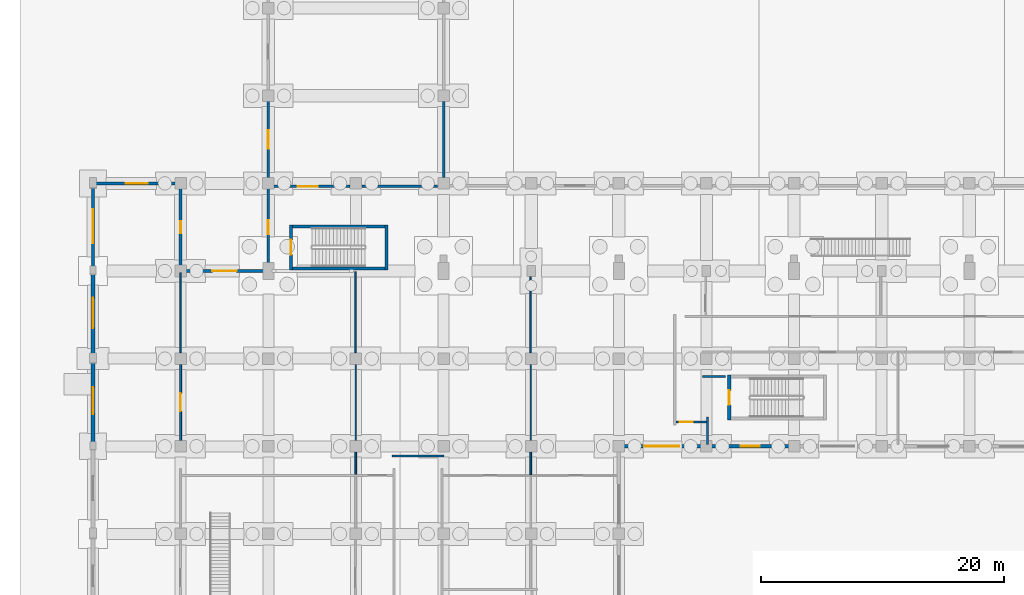
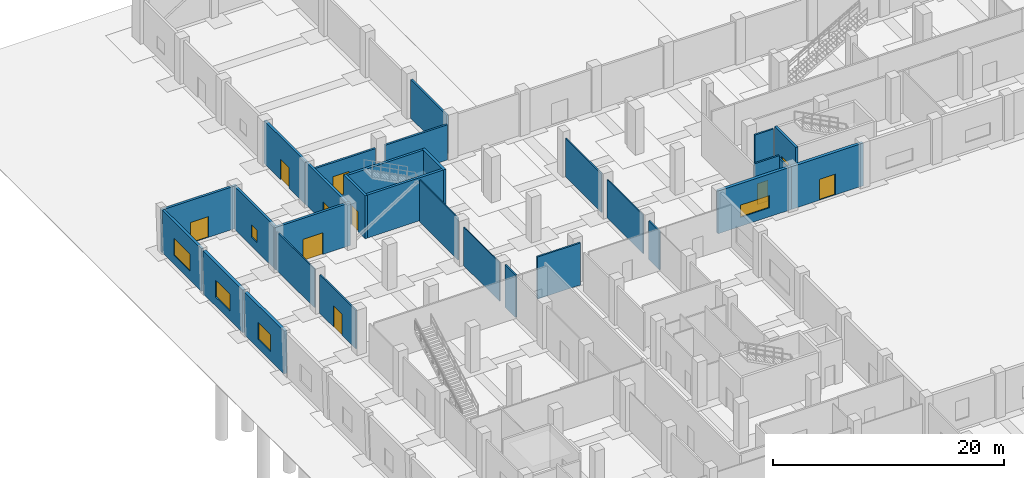
# One storey, part 27 of 48: 30 walls, 10 doors, 5 windows, 15 openings.
"""IFC4 building model written with IfcOpenShell, lengths in metres."""

from ifc_helpers import new_model, si_unit, direction, frame, frame_2d, origin, place, context, subcontext, project, spatial, rectangle, extrude, material, layer, layer_set, type_object, element, fill, save


model = new_model("IFC4")

# Units and contexts
model_context = context("Model", 3, precision=1e-05, world=origin(), true_north=direction((0.0, 1.0)))
body_context = subcontext(model_context, "Body", "Model", "MODEL_VIEW")
ifc_project = project(units=[si_unit("LENGTHUNIT", "METRE"), si_unit("AREAUNIT", "SQUARE_METRE"), si_unit("VOLUMEUNIT", "CUBIC_METRE"), si_unit("PLANEANGLEUNIT", "RADIAN"), si_unit("MASSUNIT", "GRAM", prefix="KILO")], contexts=[model_context])

# Site, building, storey
site_placement = place(None, origin())
site = spatial("IfcSite", under=ifc_project, at=site_placement, CompositionType="ELEMENT")
building_placement = place(site_placement, origin())
building = spatial("IfcBuilding", under=site, at=building_placement, Name="Seraya Terrace Polytechnic", CompositionType="ELEMENT")
storey_placement = place(building_placement, origin())
storey = spatial("IfcBuildingStorey", under=building, at=storey_placement, Name="L00", CompositionType="ELEMENT", Elevation=0.0)

# Wall, opening, window
ifc_material_1 = material(Name="Concrete C40/50", Category="concrete")
ifc_layer_1 = layer(ifc_material_1, 0.300048828125, Name="EW-01")
ifc_layer_set_1 = layer_set([ifc_layer_1], Name="Concrete C40/50")
wall_type_1 = type_object("IfcWallType", Name="EW-01", PredefinedType="SOLIDWALL", material=ifc_layer_set_1)
wall_1_placement = place(storey_placement, frame((0.0, 65.10009765625, 0.0), z_axis=(0.0, 0.0, 1.0), x_axis=(0.0, 1.0, 0.0)))
wall_1 = element("IfcWall", 1, at=wall_1_placement, inside=storey, type_object=wall_type_1, Name="Exterior structural wall EW-01 L00", PredefinedType="SOLIDWALL", context=body_context, shape_type="SweptSolid", body=[
    extrude(rectangle(XDim=6.89990234375, YDim=0.300048828125, at=frame_2d((3.449951171875, 0.0))), origin(), (0.0, 0.0, 1.0), 4.52001953125),
])
opening_1_placement = place(wall_1_placement, frame((2.35009765625, 0.0, 0.949951171875)))
opening_1 = element("IfcOpeningElement", 2, at=opening_1_placement, cuts=wall_1, Name="Opening WN-31", PredefinedType="OPENING", context=body_context, shape_type="SweptSolid", body=[
    extrude(rectangle(XDim=2.199951171875, YDim=1.800048828125, at=frame_2d((1.10009765625, 0.89990234375))), frame((0.0, 0.162109375, 0.0), z_axis=(0.0, -1.0, 0.0), x_axis=(1.0, 0.0, 0.0)), (0.0, 0.0, 1.0), 0.323974609375),
])
ifc_material_2 = material(Name="Laminated solar-control Low-E double glazing", Category="glass")
window_type_1 = type_object("IfcWindowType", Name="WN-31", PartitioningType="SINGLE_PANEL", PredefinedType="WINDOW", material=ifc_material_2)
window_1_placement = place(opening_1_placement, origin())
window_1 = element("IfcWindow", 3, at=window_1_placement, inside=storey, type_object=window_type_1, Name="Exterior window WN-31 L00", OverallHeight=1.800048828125, OverallWidth=2.199951171875, PartitioningType="SINGLE_PANEL", PredefinedType="WINDOW", context=body_context, shape_type="SweptSolid", body=[
    extrude(rectangle(XDim=2.199951171875, YDim=1.800048828125, at=frame_2d((1.10009765625, 0.89990234375))), frame((0.0, 0.030029296875, 0.0), z_axis=(0.0, -1.0, 0.0), x_axis=(1.0, 0.0, 0.0)), (0.0, 0.0, 1.0), 0.06005859375),
])
fill(opening_1, window_1)

wall_2_placement = place(storey_placement, frame((0.0, 72.300048828125, 0.0), z_axis=(0.0, 0.0, 1.0), x_axis=(0.0, 1.0, 0.0)))
wall_2 = element("IfcWall", 4, at=wall_2_placement, inside=storey, type_object=wall_type_1, Name="Exterior structural wall EW-01 L00", PredefinedType="SOLIDWALL", context=body_context, shape_type="SweptSolid", body=[
    extrude(rectangle(XDim=6.89990234375, YDim=0.300048828125, at=frame_2d((3.449951171875, 0.0))), origin(), (0.0, 0.0, 1.0), 4.52001953125),
])
opening_2_placement = place(wall_2_placement, frame((2.199951171875, 0.0, 0.949951171875)))
opening_2 = element("IfcOpeningElement", 5, at=opening_2_placement, cuts=wall_2, Name="Opening WN-32", PredefinedType="OPENING", context=body_context, shape_type="SweptSolid", body=[
    extrude(rectangle(XDim=2.5, YDim=1.800048828125, at=frame_2d((1.25, 0.89990234375))), frame((0.0, 0.162109375, 0.0), z_axis=(0.0, -1.0, 0.0), x_axis=(1.0, 0.0, 0.0)), (0.0, 0.0, 1.0), 0.323974609375),
])
window_type_2 = type_object("IfcWindowType", Name="WN-32", PartitioningType="SINGLE_PANEL", PredefinedType="WINDOW", material=ifc_material_2)
window_2_placement = place(opening_2_placement, origin())
window_2 = element("IfcWindow", 6, at=window_2_placement, inside=storey, type_object=window_type_2, Name="Exterior window WN-32 L00", OverallHeight=1.800048828125, OverallWidth=2.5, PartitioningType="SINGLE_PANEL", PredefinedType="WINDOW", context=body_context, shape_type="SweptSolid", body=[
    extrude(rectangle(XDim=2.5, YDim=1.800048828125, at=frame_2d((1.25, 0.89990234375))), frame((0.0, 0.030029296875, 0.0), z_axis=(0.0, -1.0, 0.0), x_axis=(1.0, 0.0, 0.0)), (0.0, 0.0, 1.0), 0.06005859375),
])
fill(opening_2, window_2)

# Wall, opening, door
wall_3_placement = place(storey_placement, frame((57.60009765625, 64.800048828125, 0.0), z_axis=(0.0, 0.0, 1.0), x_axis=(-1.0, 0.0, 0.0)))
wall_3 = element("IfcWall", 7, at=wall_3_placement, inside=storey, type_object=wall_type_1, Name="Exterior structural wall EW-01 L00", PredefinedType="SOLIDWALL", context=body_context, shape_type="SweptSolid", body=[
    extrude(rectangle(XDim=7.2001953125, YDim=0.300048828125, at=frame_2d((3.60009765625, 0.0))), origin(), (0.0, 0.0, 1.0), 4.52001953125),
])
opening_3_placement = place(wall_3_placement, frame((2.800048828125, 0.0, 0.0)))
opening_3 = element("IfcOpeningElement", 8, at=opening_3_placement, cuts=wall_3, Name="Opening ED-03", PredefinedType="OPENING", context=body_context, shape_type="SweptSolid", body=[
    extrude(rectangle(XDim=1.60009765625, YDim=2.199951171875, at=frame_2d((0.800048828125, 1.10009765625))), frame((0.0, 0.162109375, 0.0), z_axis=(0.0, -1.0, 0.0), x_axis=(1.0, 0.0, 0.0)), (0.0, 0.0, 1.0), 0.323974609375),
])
ifc_material_3 = material(Name="Anodised aluminium EN AW-6063 T6", Category="aluminium")
door_type_1 = type_object("IfcDoorType", Name="ED-03", OperationType="DOUBLE_DOOR_SINGLE_SWING", PredefinedType="DOOR", material=ifc_material_3)
door_1_placement = place(opening_3_placement, origin())
door_1 = element("IfcDoor", 9, at=door_1_placement, inside=storey, type_object=door_type_1, Name="Door ED-03 DR-STEXIT-ST-06 in WL-EXT-L00-13-03", OperationType="DOUBLE_DOOR_SINGLE_SWING", OverallHeight=2.199951171875, OverallWidth=1.60009765625, PredefinedType="DOOR", context=body_context, shape_type="SweptSolid", body=[
    extrude(rectangle(XDim=1.60009765625, YDim=2.199951171875, at=frame_2d((0.800048828125, 1.10009765625))), frame((0.0, 0.02490234375, 0.0), z_axis=(0.0, -1.0, 0.0), x_axis=(1.0, 0.0, 0.0)), (0.0, 0.0, 1.0), 0.050048828125),
])
fill(opening_3, door_1)

# Wall, opening, window
wall_4_placement = place(storey_placement, frame((50.39990234375, 64.800048828125, 0.0), z_axis=(0.0, 0.0, 1.0), x_axis=(-1.0, 0.0, 0.0)))
wall_4 = element("IfcWall", 10, at=wall_4_placement, inside=storey, type_object=wall_type_1, Name="Exterior structural wall EW-01 L00", PredefinedType="SOLIDWALL", context=body_context, shape_type="SweptSolid", body=[
    extrude(rectangle(XDim=7.349853515625, YDim=0.300048828125, at=frame_2d((3.6748046875, 0.0))), origin(), (0.0, 0.0, 1.0), 4.52001953125),
])
opening_4_placement = place(wall_4_placement, frame((2.22509765625, 0.0, 0.949951171875)))
opening_4 = element("IfcOpeningElement", 11, at=opening_4_placement, cuts=wall_4, Name="Opening WN-12", PredefinedType="OPENING", context=body_context, shape_type="SweptSolid", body=[
    extrude(rectangle(XDim=2.89990234375, YDim=1.300048828125, at=frame_2d((1.449951171875, 0.64990234375))), frame((0.0, 0.162109375, 0.0), z_axis=(0.0, -1.0, 0.0), x_axis=(1.0, 0.0, 0.0)), (0.0, 0.0, 1.0), 0.323974609375),
])
window_type_3 = type_object("IfcWindowType", Name="WN-12", PartitioningType="SINGLE_PANEL", PredefinedType="WINDOW", material=ifc_material_2)
window_3_placement = place(opening_4_placement, origin())
window_3 = element("IfcWindow", 12, at=window_3_placement, inside=storey, type_object=window_type_3, Name="Exterior window WN-12 L00", OverallHeight=1.300048828125, OverallWidth=2.89990234375, PartitioningType="SINGLE_PANEL", PredefinedType="WINDOW", context=body_context, shape_type="SweptSolid", body=[
    extrude(rectangle(XDim=2.89990234375, YDim=1.300048828125, at=frame_2d((1.449951171875, 0.64990234375))), frame((0.0, 0.030029296875, 0.0), z_axis=(0.0, -1.0, 0.0), x_axis=(1.0, 0.0, 0.0)), (0.0, 0.0, 1.0), 0.06005859375),
])
fill(opening_4, window_3)

# Wall, opening, door
ifc_layer_2 = layer(ifc_material_1, 0.239990234375, Name="EW-04")
ifc_layer_set_2 = layer_set([ifc_layer_2], Name="Concrete C40/50")
wall_type_2 = type_object("IfcWallType", Name="EW-04", PredefinedType="SOLIDWALL", material=ifc_layer_set_2)
wall_5_placement = place(storey_placement, frame((-0.14990234375, 86.39990234375, 0.0), z_axis=(0.0, 0.0, 1.0), x_axis=(1.0, 0.0, 0.0)))
wall_5 = element("IfcWall", 13, at=wall_5_placement, inside=storey, type_object=wall_type_2, Name="Exterior structural wall EW-04 L00", PredefinedType="SOLIDWALL", context=body_context, shape_type="SweptSolid", body=[
    extrude(rectangle(XDim=7.5, YDim=0.239990234375, at=frame_2d((3.75, 0.0))), origin(), (0.0, 0.0, 1.0), 4.52001953125),
])
opening_5_placement = place(wall_5_placement, frame((2.85009765625, 0.0, 0.0)))
opening_5 = element("IfcOpeningElement", 14, at=opening_5_placement, cuts=wall_5, Name="Opening ED-01", PredefinedType="OPENING", context=body_context, shape_type="SweptSolid", body=[
    extrude(rectangle(XDim=1.800048828125, YDim=2.199951171875, at=frame_2d((0.89990234375, 1.10009765625))), frame((0.0, 0.1318359375, 0.0), z_axis=(0.0, -1.0, 0.0), x_axis=(1.0, 0.0, 0.0)), (0.0, 0.0, 1.0), 0.263916015625),
])
door_type_2 = type_object("IfcDoorType", Name="ED-01", OperationType="DOUBLE_DOOR_SINGLE_SWING", PredefinedType="DOOR", material=ifc_material_3)
door_2_placement = place(opening_5_placement, origin())
door_2 = element("IfcDoor", 15, at=door_2_placement, inside=storey, type_object=door_type_2, Name="Door ED-01 DR-EXIT-L00-001 in WL-EXT-L00-00-00", OperationType="DOUBLE_DOOR_SINGLE_SWING", OverallHeight=2.199951171875, OverallWidth=1.800048828125, PredefinedType="DOOR", context=body_context, shape_type="SweptSolid", body=[
    extrude(rectangle(XDim=1.800048828125, YDim=2.199951171875, at=frame_2d((0.89990234375, 1.10009765625))), frame((0.0, 0.02490234375, 0.0), z_axis=(0.0, -1.0, 0.0), x_axis=(1.0, 0.0, 0.0)), (0.0, 0.0, 1.0), 0.050048828125),
])
fill(opening_5, door_2)

# Wall, opening, window
wall_6_placement = place(storey_placement, frame((7.199951171875, 86.248046875, 0.0), z_axis=(0.0, 0.0, 1.0), x_axis=(0.0, -1.0, 0.0)))
wall_6 = element("IfcWall", 16, at=wall_6_placement, inside=storey, type_object=wall_type_2, Name="Exterior structural wall EW-04 L00", PredefinedType="SOLIDWALL", context=body_context, shape_type="SweptSolid", body=[
    extrude(rectangle(XDim=6.89599609375, YDim=0.239990234375, at=frame_2d((3.447998046875, 0.0))), origin(), (0.0, 0.0, 1.0), 4.52001953125),
])
opening_6_placement = place(wall_6_placement, frame((2.947998046875, 0.0, 0.949951171875)))
opening_6 = element("IfcOpeningElement", 17, at=opening_6_placement, cuts=wall_6, Name="Opening WN-01", PredefinedType="OPENING", context=body_context, shape_type="SweptSolid", body=[
    extrude(rectangle(XDim=1.0, YDim=1.300048828125, at=frame_2d((0.5, 0.64990234375))), frame((0.0, 0.1318359375, 0.0), z_axis=(0.0, -1.0, 0.0), x_axis=(1.0, 0.0, 0.0)), (0.0, 0.0, 1.0), 0.263916015625),
])
window_type_4 = type_object("IfcWindowType", Name="WN-01", PartitioningType="SINGLE_PANEL", PredefinedType="WINDOW", material=ifc_material_2)
window_4_placement = place(opening_6_placement, origin())
window_4 = element("IfcWindow", 18, at=window_4_placement, inside=storey, type_object=window_type_4, Name="Exterior window WN-01 L00", OverallHeight=1.300048828125, OverallWidth=1.0, PartitioningType="SINGLE_PANEL", PredefinedType="WINDOW", context=body_context, shape_type="SweptSolid", body=[
    extrude(rectangle(XDim=1.0, YDim=1.300048828125, at=frame_2d((0.5, 0.64990234375))), frame((0.0, 0.030029296875, 0.0), z_axis=(0.0, -1.0, 0.0), x_axis=(1.0, 0.0, 0.0)), (0.0, 0.0, 1.0), 0.06005859375),
])
fill(opening_6, window_4)

# Wall, opening, door
wall_7_placement = place(storey_placement, frame((7.050048828125, 79.199951171875, 0.0), z_axis=(0.0, 0.0, 1.0), x_axis=(1.0, 0.0, 0.0)))
wall_7 = element("IfcWall", 19, at=wall_7_placement, inside=storey, type_object=wall_type_2, Name="Exterior structural wall EW-04 L00", PredefinedType="SOLIDWALL", context=body_context, shape_type="SweptSolid", body=[
    extrude(rectangle(XDim=7.5, YDim=0.239990234375, at=frame_2d((3.75, 0.0))), origin(), (0.0, 0.0, 1.0), 4.52001953125),
])
opening_7_placement = place(wall_7_placement, frame((2.75, 0.0, 0.0)))
opening_7 = element("IfcOpeningElement", 20, at=opening_7_placement, cuts=wall_7, Name="Opening ED-02", PredefinedType="OPENING", context=body_context, shape_type="SweptSolid", body=[
    extrude(rectangle(XDim=2.0, YDim=2.300048828125, at=frame_2d((1.0, 1.14990234375))), frame((0.0, 0.1318359375, 0.0), z_axis=(0.0, -1.0, 0.0), x_axis=(1.0, 0.0, 0.0)), (0.0, 0.0, 1.0), 0.263916015625),
])
door_type_3 = type_object("IfcDoorType", Name="ED-02", OperationType="DOUBLE_DOOR_SINGLE_SWING", PredefinedType="DOOR", material=ifc_material_3)
door_3_placement = place(opening_7_placement, origin())
door_3 = element("IfcDoor", 21, at=door_3_placement, inside=storey, type_object=door_type_3, Name="Door ED-02 DR-EXIT-L00-002 in WL-EXT-L00-02-00", OperationType="DOUBLE_DOOR_SINGLE_SWING", OverallHeight=2.300048828125, OverallWidth=2.0, PredefinedType="DOOR", context=body_context, shape_type="SweptSolid", body=[
    extrude(rectangle(XDim=2.0, YDim=2.300048828125, at=frame_2d((1.0, 1.14990234375))), frame((0.0, 0.02490234375, 0.0), z_axis=(0.0, -1.0, 0.0), x_axis=(1.0, 0.0, 0.0)), (0.0, 0.0, 1.0), 0.050048828125),
])
fill(opening_7, door_3)

wall_8_placement = place(storey_placement, frame((14.39990234375, 79.35205078125, 0.0), z_axis=(0.0, 0.0, 1.0), x_axis=(0.0, 1.0, 0.0)))
wall_8 = element("IfcWall", 22, at=wall_8_placement, inside=storey, type_object=wall_type_2, Name="Exterior structural wall EW-04 L00", PredefinedType="SOLIDWALL", context=body_context, shape_type="SweptSolid", body=[
    extrude(rectangle(XDim=7.0478515625, YDim=0.239990234375, at=frame_2d((3.52392578125, 0.0))), origin(), (0.0, 0.0, 1.0), 4.52001953125),
])
opening_8_placement = place(wall_8_placement, frame((2.887939453125, 0.0, 0.0)))
opening_8 = element("IfcOpeningElement", 23, at=opening_8_placement, cuts=wall_8, Name="Opening ED-06", PredefinedType="OPENING", context=body_context, shape_type="SweptSolid", body=[
    extrude(rectangle(XDim=1.1201171875, YDim=2.14990234375, at=frame_2d((0.56005859375, 1.074951171875))), frame((0.0, 0.1318359375, 0.0), z_axis=(0.0, -1.0, 0.0), x_axis=(1.0, 0.0, 0.0)), (0.0, 0.0, 1.0), 0.263916015625),
])
door_type_4 = type_object("IfcDoorType", Name="ED-06", OperationType="NOTDEFINED", PredefinedType="DOOR", material=ifc_material_3)
door_4_placement = place(opening_8_placement, origin())
door_4 = element("IfcDoor", 24, at=door_4_placement, inside=storey, type_object=door_type_4, Name="Door ED-06 DR-STEXIT-ST-07 in WL-EXT-L00-03-00", OperationType="SINGLE_SWING_RIGHT", OverallHeight=2.14990234375, OverallWidth=1.1201171875, PredefinedType="DOOR", context=body_context, shape_type="SweptSolid", body=[
    extrude(rectangle(XDim=1.1201171875, YDim=2.14990234375, at=frame_2d((0.56005859375, 1.074951171875))), frame((0.0, 0.02490234375, 0.0), z_axis=(0.0, -1.0, 0.0), x_axis=(1.0, 0.0, 0.0)), (0.0, 0.0, 1.0), 0.050048828125),
])
fill(opening_8, door_4)

wall_9_placement = place(storey_placement, frame((14.39990234375, 86.39990234375, 0.0), z_axis=(0.0, 0.0, 1.0), x_axis=(0.0, 1.0, 0.0)))
wall_9 = element("IfcWall", 25, at=wall_9_placement, inside=storey, type_object=wall_type_2, Name="Exterior structural wall EW-04 L00", PredefinedType="SOLIDWALL", context=body_context, shape_type="SweptSolid", body=[
    extrude(rectangle(XDim=7.2001953125, YDim=0.239990234375, at=frame_2d((3.60009765625, 0.0))), origin(), (0.0, 0.0, 1.0), 4.52001953125),
])
opening_9_placement = place(wall_9_placement, frame((2.85009765625, 0.0, 0.0)))
opening_9 = element("IfcOpeningElement", 26, at=opening_9_placement, cuts=wall_9, Name="Opening ED-04", PredefinedType="OPENING", context=body_context, shape_type="SweptSolid", body=[
    extrude(rectangle(XDim=1.5, YDim=2.14990234375, at=frame_2d((0.75, 1.074951171875))), frame((0.0, 0.1318359375, 0.0), z_axis=(0.0, -1.0, 0.0), x_axis=(1.0, 0.0, 0.0)), (0.0, 0.0, 1.0), 0.263916015625),
])
door_type_5 = type_object("IfcDoorType", Name="ED-04", OperationType="DOUBLE_DOOR_SINGLE_SWING", PredefinedType="DOOR", material=ifc_material_3)
door_5_placement = place(opening_9_placement, origin())
door_5 = element("IfcDoor", 27, at=door_5_placement, inside=storey, type_object=door_type_5, Name="Door ED-04 DR-EXIT-L00-004 in WL-EXT-L00-03-01", OperationType="DOUBLE_DOOR_SINGLE_SWING", OverallHeight=2.14990234375, OverallWidth=1.5, PredefinedType="DOOR", context=body_context, shape_type="SweptSolid", body=[
    extrude(rectangle(XDim=1.5, YDim=2.14990234375, at=frame_2d((0.75, 1.074951171875))), frame((0.0, 0.02490234375, 0.0), z_axis=(0.0, -1.0, 0.0), x_axis=(1.0, 0.0, 0.0)), (0.0, 0.0, 1.0), 0.050048828125),
])
fill(opening_9, door_5)

# Wall, opening, window
wall_10_placement = place(storey_placement, frame((0.0, 79.5, 0.0), z_axis=(0.0, 0.0, 1.0), x_axis=(0.0, 1.0, 0.0)))
wall_10 = element("IfcWall", 28, at=wall_10_placement, inside=storey, type_object=wall_type_2, Name="Exterior structural wall EW-04 L00", PredefinedType="SOLIDWALL", context=body_context, shape_type="SweptSolid", body=[
    extrude(rectangle(XDim=6.748046875, YDim=0.239990234375, at=frame_2d((3.3740234375, 0.0))), origin(), (0.0, 0.0, 1.0), 4.52001953125),
])
opening_10_placement = place(wall_10_placement, frame((1.97412109375, 0.0, 0.949951171875)))
opening_10 = element("IfcOpeningElement", 29, at=opening_10_placement, cuts=wall_10, Name="Opening WN-33", PredefinedType="OPENING", context=body_context, shape_type="SweptSolid", body=[
    extrude(rectangle(XDim=2.800048828125, YDim=1.800048828125, at=frame_2d((1.39990234375, 0.89990234375))), frame((0.0, 0.1318359375, 0.0), z_axis=(0.0, -1.0, 0.0), x_axis=(1.0, 0.0, 0.0)), (0.0, 0.0, 1.0), 0.263916015625),
])
window_type_5 = type_object("IfcWindowType", Name="WN-33", PartitioningType="SINGLE_PANEL", PredefinedType="WINDOW", material=ifc_material_2)
window_5_placement = place(opening_10_placement, origin())
window_5 = element("IfcWindow", 30, at=window_5_placement, inside=storey, type_object=window_type_5, Name="Exterior window WN-33 L00", OverallHeight=1.800048828125, OverallWidth=2.800048828125, PartitioningType="SINGLE_PANEL", PredefinedType="WINDOW", context=body_context, shape_type="SweptSolid", body=[
    extrude(rectangle(XDim=2.800048828125, YDim=1.800048828125, at=frame_2d((1.39990234375, 0.89990234375))), frame((0.0, 0.030029296875, 0.0), z_axis=(0.0, -1.0, 0.0), x_axis=(1.0, 0.0, 0.0)), (0.0, 0.0, 1.0), 0.06005859375),
])
fill(opening_10, window_5)

# Wall, opening, door
ifc_material_4 = material(Name="Autoclaved aerated concrete blockwork", Category="masonry")
ifc_layer_3 = layer(ifc_material_4, 0.199951171875, Name="PT-01")
ifc_layer_set_3 = layer_set([ifc_layer_3], Name="Autoclaved aerated concrete blockwork")
wall_type_3 = type_object("IfcWallType", Name="PT-01", PredefinedType="PARTITIONING", material=ifc_layer_set_3)
wall_11_placement = place(storey_placement, frame((14.531982421875, 86.14990234375, 0.0), z_axis=(0.0, 0.0, 1.0), x_axis=(1.0, 0.0, 0.0)))
wall_11 = element("IfcWall", 31, at=wall_11_placement, inside=storey, type_object=wall_type_3, Name="Internal partition PT-01 L00", PredefinedType="PARTITIONING", context=body_context, shape_type="SweptSolid", body=[
    extrude(rectangle(XDim=6.5830078125, YDim=0.199951171875, at=frame_2d((3.29150390625, 0.0))), origin(), (0.0, 0.0, 1.0), 3.72998046875),
])
opening_11_placement = place(wall_11_placement, frame((2.294921875, 0.0, 0.0)))
opening_11 = element("IfcOpeningElement", 32, at=opening_11_placement, cuts=wall_11, Name="Opening FD-03", PredefinedType="OPENING", context=body_context, shape_type="SweptSolid", body=[
    extrude(rectangle(XDim=1.639892578125, YDim=2.239990234375, at=frame_2d((0.81982421875, 1.1201171875))), frame((0.0, 0.11181640625, 0.0), z_axis=(0.0, -1.0, 0.0), x_axis=(1.0, 0.0, 0.0)), (0.0, 0.0, 1.0), 0.223876953125),
])
ifc_material_5 = material(Name="Steel S355J2", Category="steel")
door_type_6 = type_object("IfcDoorType", Name="FD-03", OperationType="DOUBLE_DOOR_SINGLE_SWING", PredefinedType="DOOR", material=ifc_material_5)
door_6_placement = place(opening_11_placement, origin())
door_6 = element("IfcDoor", 33, at=door_6_placement, inside=storey, type_object=door_type_6, Name="Door FD-03 DR-INT-L00-0042 in WL-INT-L00-0101", OperationType="DOUBLE_DOOR_SINGLE_SWING", OverallHeight=2.239990234375, OverallWidth=1.639892578125, PredefinedType="DOOR", context=body_context, shape_type="SweptSolid", body=[
    extrude(rectangle(XDim=1.639892578125, YDim=2.239990234375, at=frame_2d((0.81982421875, 1.1201171875))), frame((0.0, 0.02490234375, 0.0), z_axis=(0.0, -1.0, 0.0), x_axis=(1.0, 0.0, 0.0)), (0.0, 0.0, 1.0), 0.050048828125),
])
fill(opening_11, door_6)

# Walls
wall_12_placement = place(storey_placement, frame((22.0849609375, 86.14990234375, 0.0), z_axis=(0.0, 0.0, 1.0), x_axis=(1.0, 0.0, 0.0)))
element("IfcWall", 34, at=wall_12_placement, inside=storey, type_object=wall_type_3, Name="Internal partition PT-01 L00", PredefinedType="PARTITIONING", context=body_context, shape_type="SweptSolid", body=[
    extrude(rectangle(XDim=6.22998046875, YDim=0.199951171875, at=frame_2d((3.114990234375, 0.0))), origin(), (0.0, 0.0, 1.0), 3.72998046875),
])
wall_13_placement = place(storey_placement, frame((28.800048828125, 86.885009765625, 0.0), z_axis=(0.0, 0.0, 1.0), x_axis=(0.0, 1.0, 0.0)))
element("IfcWall", 35, at=wall_13_placement, inside=storey, type_object=wall_type_3, Name="Internal partition PT-01 L00", PredefinedType="PARTITIONING", context=body_context, shape_type="SweptSolid", body=[
    extrude(rectangle(XDim=6.22998046875, YDim=0.199951171875, at=frame_2d((3.114990234375, 0.0))), origin(), (0.0, 0.0, 1.0), 4.080078125),
])
ifc_layer_4 = layer(ifc_material_4, 0.169921875, Name="PT-02")
ifc_layer_set_4 = layer_set([ifc_layer_4], Name="Autoclaved aerated concrete blockwork")
wall_type_4 = type_object("IfcWallType", Name="PT-02", PredefinedType="PARTITIONING", material=ifc_layer_set_4)
wall_14_placement = place(storey_placement, frame((50.4951171875, 64.9619140625, 0.0), z_axis=(0.0, 0.0, 1.0), x_axis=(0.0, 1.0, 0.0)))
element("IfcWall", 36, at=wall_14_placement, inside=storey, type_object=wall_type_4, Name="Internal partition PT-02 L00", PredefinedType="PARTITIONING", context=body_context, shape_type="SweptSolid", body=[
    extrude(rectangle(XDim=2.258056640625, YDim=0.169921875, at=frame_2d((1.12890625, 0.0))), origin(), (0.0, 0.0, 1.0), 4.080078125),
])
wall_15_placement = place(storey_placement, frame((50.090087890625, 70.543212890625, 0.0), z_axis=(0.0, 0.0, 1.0), x_axis=(1.0, 0.0, 0.0)))
element("IfcWall", 37, at=wall_15_placement, inside=storey, type_object=wall_type_4, Name="Internal partition PT-02 L00", PredefinedType="PARTITIONING", context=body_context, shape_type="SweptSolid", body=[
    extrude(rectangle(XDim=1.8798828125, YDim=0.169921875, at=frame_2d((0.93994140625, 0.0))), origin(), (0.0, 0.0, 1.0), 4.4599609375),
])

# Wall, opening, door
wall_16_placement = place(storey_placement, frame((47.89990234375, 66.800048828125, 0.0), z_axis=(0.0, 0.0, 1.0), x_axis=(1.0, 0.0, 0.0)))
wall_16 = element("IfcWall", 38, at=wall_16_placement, inside=storey, type_object=wall_type_4, Name="Internal partition PT-02 L00", PredefinedType="PARTITIONING", context=body_context, shape_type="SweptSolid", body=[
    extrude(rectangle(XDim=2.4951171875, YDim=0.169921875, at=frame_2d((1.24755859375, 0.0))), origin(), (0.0, 0.0, 1.0), 4.4599609375),
])
opening_12_placement = place(wall_16_placement, frame((0.3076171875, 0.0, 0.0)))
opening_12 = element("IfcOpeningElement", 39, at=opening_12_placement, cuts=wall_16, Name="Opening ID-05", PredefinedType="OPENING", context=body_context, shape_type="SweptSolid", body=[
    extrude(rectangle(XDim=1.080078125, YDim=2.199951171875, at=frame_2d((0.5400390625, 1.10009765625))), frame((0.0, 0.096923828125, 0.0), z_axis=(0.0, -1.0, 0.0), x_axis=(1.0, 0.0, 0.0)), (0.0, 0.0, 1.0), 0.19384765625),
])
ifc_material_6 = material(Name="Malaysian dark red meranti hardwood timber D40", Category="wood")
door_type_7 = type_object("IfcDoorType", Name="ID-05", OperationType="NOTDEFINED", PredefinedType="DOOR", material=ifc_material_6)
door_7_placement = place(opening_12_placement, origin())
door_7 = element("IfcDoor", 40, at=door_7_placement, inside=storey, type_object=door_type_7, Name="Door ID-05 DR-INT-L00-0054 in WL-INT-L00-0075", OperationType="SINGLE_SWING_LEFT", OverallHeight=2.199951171875, OverallWidth=1.080078125, PredefinedType="DOOR", context=body_context, shape_type="SweptSolid", body=[
    extrude(rectangle(XDim=1.080078125, YDim=2.199951171875, at=frame_2d((0.5400390625, 1.10009765625))), frame((0.0, 0.02490234375, 0.0), z_axis=(0.0, -1.0, 0.0), x_axis=(1.0, 0.0, 0.0)), (0.0, 0.0, 1.0), 0.050048828125),
])
fill(opening_12, door_7)

# Wall
wall_17_placement = place(storey_placement, frame((24.56005859375, 64.0, 0.0), z_axis=(0.0, 0.0, 1.0), x_axis=(1.0, 0.0, 0.0)))
element("IfcWall", 41, at=wall_17_placement, inside=storey, type_object=wall_type_4, Name="Internal partition PT-02 L00", PredefinedType="PARTITIONING", context=body_context, shape_type="SweptSolid", body=[
    extrude(rectangle(XDim=4.280029296875, YDim=0.169921875, at=frame_2d((2.14013671875, 0.0))), origin(), (0.0, 0.0, 1.0), 4.4599609375),
])

# Wall, opening, door
ifc_layer_5 = layer(ifc_material_4, 0.14990234375, Name="PT-03")
ifc_layer_set_5 = layer_set([ifc_layer_5], Name="Autoclaved aerated concrete blockwork")
wall_type_5 = type_object("IfcWallType", Name="PT-03", PredefinedType="PARTITIONING", material=ifc_layer_set_5)
wall_18_placement = place(storey_placement, frame((7.199951171875, 65.284912109375, 0.0), z_axis=(0.0, 0.0, 1.0), x_axis=(0.0, 1.0, 0.0)))
wall_18 = element("IfcWall", 42, at=wall_18_placement, inside=storey, type_object=wall_type_5, Name="Internal partition PT-03 L00", PredefinedType="PARTITIONING", context=body_context, shape_type="SweptSolid", body=[
    extrude(rectangle(XDim=6.22998046875, YDim=0.14990234375, at=frame_2d((3.114990234375, 0.0))), origin(), (0.0, 0.0, 1.0), 4.080078125),
])
opening_13_placement = place(wall_18_placement, frame((2.375, 0.0, 0.0)))
opening_13 = element("IfcOpeningElement", 43, at=opening_13_placement, cuts=wall_18, Name="Opening ID-11", PredefinedType="OPENING", context=body_context, shape_type="SweptSolid", body=[
    extrude(rectangle(XDim=1.47998046875, YDim=2.260009765625, at=frame_2d((0.739990234375, 1.1298828125))), frame((0.0, 0.0869140625, 0.0), z_axis=(0.0, -1.0, 0.0), x_axis=(1.0, 0.0, 0.0)), (0.0, 0.0, 1.0), 0.173828125),
])
door_type_8 = type_object("IfcDoorType", Name="ID-11", OperationType="DOUBLE_DOOR_SINGLE_SWING", PredefinedType="DOOR", material=ifc_material_6)
door_8_placement = place(opening_13_placement, origin())
door_8 = element("IfcDoor", 44, at=door_8_placement, inside=storey, type_object=door_type_8, Name="Door ID-11 DR-INT-L00-0040 in WL-INT-L00-0178", OperationType="DOUBLE_DOOR_SINGLE_SWING", OverallHeight=2.260009765625, OverallWidth=1.47998046875, PredefinedType="DOOR", context=body_context, shape_type="SweptSolid", body=[
    extrude(rectangle(XDim=1.47998046875, YDim=2.260009765625, at=frame_2d((0.739990234375, 1.1298828125))), frame((0.0, 0.02490234375, 0.0), z_axis=(0.0, -1.0, 0.0), x_axis=(1.0, 0.0, 0.0)), (0.0, 0.0, 1.0), 0.050048828125),
])
fill(opening_13, door_8)

# Walls
wall_19_placement = place(storey_placement, frame((21.580078125, 62.489990234375, 0.0), z_axis=(0.0, 0.0, 1.0), x_axis=(0.0, 1.0, 0.0)))
element("IfcWall", 45, at=wall_19_placement, inside=storey, type_object=wall_type_5, Name="Internal partition PT-03 L00", PredefinedType="PARTITIONING", context=body_context, shape_type="SweptSolid", body=[
    extrude(rectangle(XDim=1.824951171875, YDim=0.14990234375, at=frame_2d((0.91259765625, 0.0))), origin(), (0.0, 0.0, 1.0), 4.4599609375),
])
wall_20_placement = place(storey_placement, frame((35.9599609375, 62.47509765625, 0.0), z_axis=(0.0, 0.0, 1.0), x_axis=(0.0, 1.0, 0.0)))
element("IfcWall", 46, at=wall_20_placement, inside=storey, type_object=wall_type_5, Name="Internal partition PT-03 L00", PredefinedType="PARTITIONING", context=body_context, shape_type="SweptSolid", body=[
    extrude(rectangle(XDim=1.83984375, YDim=0.14990234375, at=frame_2d((0.919921875, 0.0))), origin(), (0.0, 0.0, 1.0), 4.080078125),
])
ifc_layer_6 = layer(ifc_material_4, 0.1201171875, Name="PT-05")
ifc_layer_set_6 = layer_set([ifc_layer_6], Name="Autoclaved aerated concrete blockwork")
wall_type_6 = type_object("IfcWallType", Name="PT-05", PredefinedType="PARTITIONING", material=ifc_layer_set_6)
wall_21_placement = place(storey_placement, frame((7.199951171875, 72.485107421875, 0.0), z_axis=(0.0, 0.0, 1.0), x_axis=(0.0, 1.0, 0.0)))
element("IfcWall", 47, at=wall_21_placement, inside=storey, type_object=wall_type_6, Name="Internal partition PT-05 L00", PredefinedType="PARTITIONING", context=body_context, shape_type="SweptSolid", body=[
    extrude(rectangle(XDim=6.5830078125, YDim=0.1201171875, at=frame_2d((3.29150390625, 0.0))), origin(), (0.0, 0.0, 1.0), 4.080078125),
])
wall_22_placement = place(storey_placement, frame((21.580078125, 72.485107421875, 0.0), z_axis=(0.0, 0.0, 1.0), x_axis=(0.0, 1.0, 0.0)))
element("IfcWall", 48, at=wall_22_placement, inside=storey, type_object=wall_type_6, Name="Internal partition PT-05 L00", PredefinedType="PARTITIONING", context=body_context, shape_type="SweptSolid", body=[
    extrude(rectangle(XDim=6.635009765625, YDim=0.1201171875, at=frame_2d((3.3173828125, 0.0))), origin(), (0.0, 0.0, 1.0), 4.4599609375),
])
wall_23_placement = place(storey_placement, frame((35.9599609375, 72.485107421875, 0.0), z_axis=(0.0, 0.0, 1.0), x_axis=(0.0, 1.0, 0.0)))
element("IfcWall", 49, at=wall_23_placement, inside=storey, type_object=wall_type_6, Name="Internal partition PT-05 L00", PredefinedType="PARTITIONING", context=body_context, shape_type="SweptSolid", body=[
    extrude(rectangle(XDim=6.2548828125, YDim=0.1201171875, at=frame_2d((3.12744140625, 0.0))), origin(), (0.0, 0.0, 1.0), 4.080078125),
])
ifc_layer_7 = layer(ifc_material_4, 0.10009765625, Name="PT-06")
ifc_layer_set_7 = layer_set([ifc_layer_7], Name="Autoclaved aerated concrete blockwork")
wall_type_7 = type_object("IfcWallType", Name="PT-06", PredefinedType="PARTITIONING", material=ifc_layer_set_7)
for number, where, z_axis, x_axis, name in (
    (50, (21.580078125, 65.284912109375, 0.0), (0.0, 0.0, 1.0), (0.0, 1.0, 0.0), "Internal partition PT-06 L00"),
    (51, (35.9599609375, 65.284912109375, 0.0), (0.0, 0.0, 1.0), (0.0, 1.0, 0.0), "Internal partition PT-06 L00"),
):
    element("IfcWall", number, at=place(storey_placement, frame(where, z_axis=z_axis, x_axis=x_axis)), inside=storey, type_object=wall_type_7, Name=name, PredefinedType="PARTITIONING", context=body_context, shape_type="SweptSolid", body=[
        extrude(rectangle(XDim=6.22998046875, YDim=0.10009765625, at=frame_2d((3.114990234375, 0.0))), origin(), (0.0, 0.0, 1.0), 4.080078125),
    ])

# Wall, opening, door
ifc_layer_8 = layer(ifc_material_1, 0.25, Name="SW-02")
ifc_layer_set_8 = layer_set([ifc_layer_8], Name="Concrete C40/50")
wall_type_8 = type_object("IfcWallType", Name="SW-02", PredefinedType="SHEAR", material=ifc_layer_set_8)
wall_24_placement = place(storey_placement, frame((52.27490234375, 66.949951171875, 0.0), z_axis=(0.0, 0.0, 1.0), x_axis=(0.0, 1.0, 0.0)))
wall_24 = element("IfcWall", 52, at=wall_24_placement, inside=storey, type_object=wall_type_8, Name="Stairwell ST-06 West wall L00", PredefinedType="SHEAR", context=body_context, shape_type="SweptSolid", body=[
    extrude(rectangle(XDim=3.699951171875, YDim=0.25, at=frame_2d((1.85009765625, 0.0))), origin(), (0.0, 0.0, 1.0), 4.550048828125),
])
opening_14_placement = place(wall_24_placement, frame((1.25, 0.0, 0.0)))
opening_14 = element("IfcOpeningElement", 53, at=opening_14_placement, cuts=wall_24, Name="Opening FD-01", PredefinedType="OPENING", context=body_context, shape_type="SweptSolid", body=[
    extrude(rectangle(XDim=1.199951171875, YDim=2.14990234375, at=frame_2d((0.60009765625, 1.074951171875))), frame((0.0, 0.136962890625, 0.0), z_axis=(0.0, -1.0, 0.0), x_axis=(1.0, 0.0, 0.0)), (0.0, 0.0, 1.0), 0.27392578125),
])
door_type_9 = type_object("IfcDoorType", Name="FD-01", OperationType="NOTDEFINED", PredefinedType="DOOR", material=ifc_material_5)
door_9_placement = place(opening_14_placement, origin())
door_9 = element("IfcDoor", 54, at=door_9_placement, inside=storey, type_object=door_type_9, Name="Door FD-01 DR-STR-ST-06-L00 in WL-STR-ST-06-L00-W", OperationType="SINGLE_SWING_LEFT", OverallHeight=2.14990234375, OverallWidth=1.199951171875, PredefinedType="DOOR", context=body_context, shape_type="SweptSolid", body=[
    extrude(rectangle(XDim=1.199951171875, YDim=2.14990234375, at=frame_2d((0.60009765625, 1.074951171875))), frame((0.0, 0.02490234375, 0.0), z_axis=(0.0, -1.0, 0.0), x_axis=(1.0, 0.0, 0.0)), (0.0, 0.0, 1.0), 0.050048828125),
])
fill(opening_14, door_9)

wall_25_placement = place(storey_placement, frame((16.27490234375, 79.300048828125, 0.0), z_axis=(0.0, 0.0, 1.0), x_axis=(0.0, 1.0, 0.0)))
wall_25 = element("IfcWall", 55, at=wall_25_placement, inside=storey, type_object=wall_type_8, Name="Stairwell ST-07 West wall L00", PredefinedType="SHEAR", context=body_context, shape_type="SweptSolid", body=[
    extrude(rectangle(XDim=3.699951171875, YDim=0.25, at=frame_2d((1.85009765625, 0.0))), origin(), (0.0, 0.0, 1.0), 4.550048828125),
])
opening_15_placement = place(wall_25_placement, frame((1.25, 0.0, 0.0)))
opening_15 = element("IfcOpeningElement", 56, at=opening_15_placement, cuts=wall_25, Name="Opening FD-01", PredefinedType="OPENING", context=body_context, shape_type="SweptSolid", body=[
    extrude(rectangle(XDim=1.199951171875, YDim=2.14990234375, at=frame_2d((0.60009765625, 1.074951171875))), frame((0.0, 0.136962890625, 0.0), z_axis=(0.0, -1.0, 0.0), x_axis=(1.0, 0.0, 0.0)), (0.0, 0.0, 1.0), 0.27392578125),
])
door_10_placement = place(opening_15_placement, origin())
door_10 = element("IfcDoor", 57, at=door_10_placement, inside=storey, type_object=door_type_9, Name="Door FD-01 DR-STR-ST-07-L00 in WL-STR-ST-07-L00-W", OperationType="SINGLE_SWING_LEFT", OverallHeight=2.14990234375, OverallWidth=1.199951171875, PredefinedType="DOOR", context=body_context, shape_type="SweptSolid", body=[
    extrude(rectangle(XDim=1.199951171875, YDim=2.14990234375, at=frame_2d((0.60009765625, 1.074951171875))), frame((0.0, 0.02490234375, 0.0), z_axis=(0.0, -1.0, 0.0), x_axis=(1.0, 0.0, 0.0)), (0.0, 0.0, 1.0), 0.050048828125),
])
fill(opening_15, door_10)

# Walls
wall_26_placement = place(storey_placement, frame((24.125, 79.300048828125, 0.0), z_axis=(0.0, 0.0, 1.0), x_axis=(0.0, 1.0, 0.0)))
element("IfcWall", 58, at=wall_26_placement, inside=storey, type_object=wall_type_8, Name="Stairwell ST-07 East wall L00", PredefinedType="SHEAR", context=body_context, shape_type="SweptSolid", body=[
    extrude(rectangle(XDim=3.699951171875, YDim=0.25, at=frame_2d((1.85009765625, 0.0))), origin(), (0.0, 0.0, 1.0), 4.550048828125),
])
for number, where, z_axis, x_axis, name in (
    (59, (16.39990234375, 79.425048828125, 0.0), (0.0, 0.0, 1.0), (1.0, 0.0, 0.0), "Stairwell ST-07 South wall L00"),
    (60, (16.39990234375, 82.875, 0.0), (0.0, 0.0, 1.0), (1.0, 0.0, 0.0), "Stairwell ST-07 North wall L00"),
):
    element("IfcWall", number, at=place(storey_placement, frame(where, z_axis=z_axis, x_axis=x_axis)), inside=storey, type_object=wall_type_8, Name=name, PredefinedType="SHEAR", context=body_context, shape_type="SweptSolid", body=[
        extrude(rectangle(XDim=7.60009765625, YDim=0.25, at=frame_2d((3.800048828125, 0.0))), origin(), (0.0, 0.0, 1.0), 4.550048828125),
    ])

save(model, "model.ifc")
